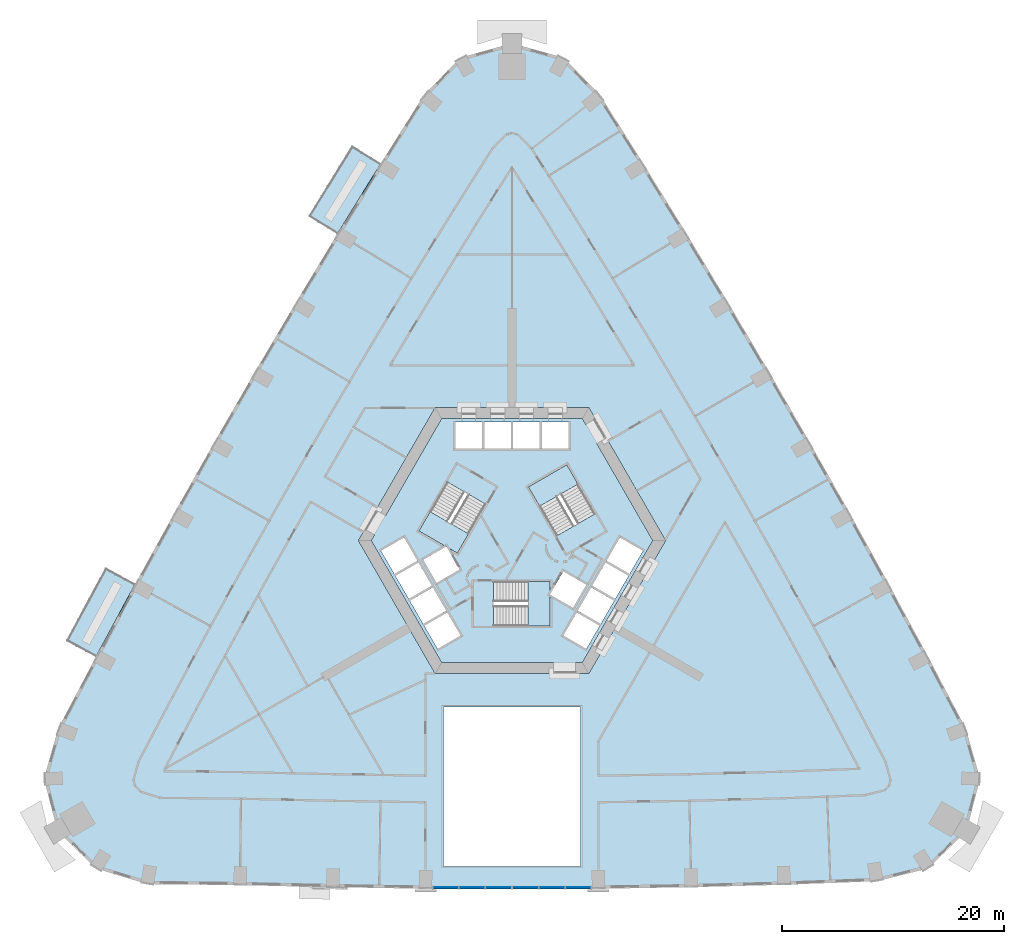
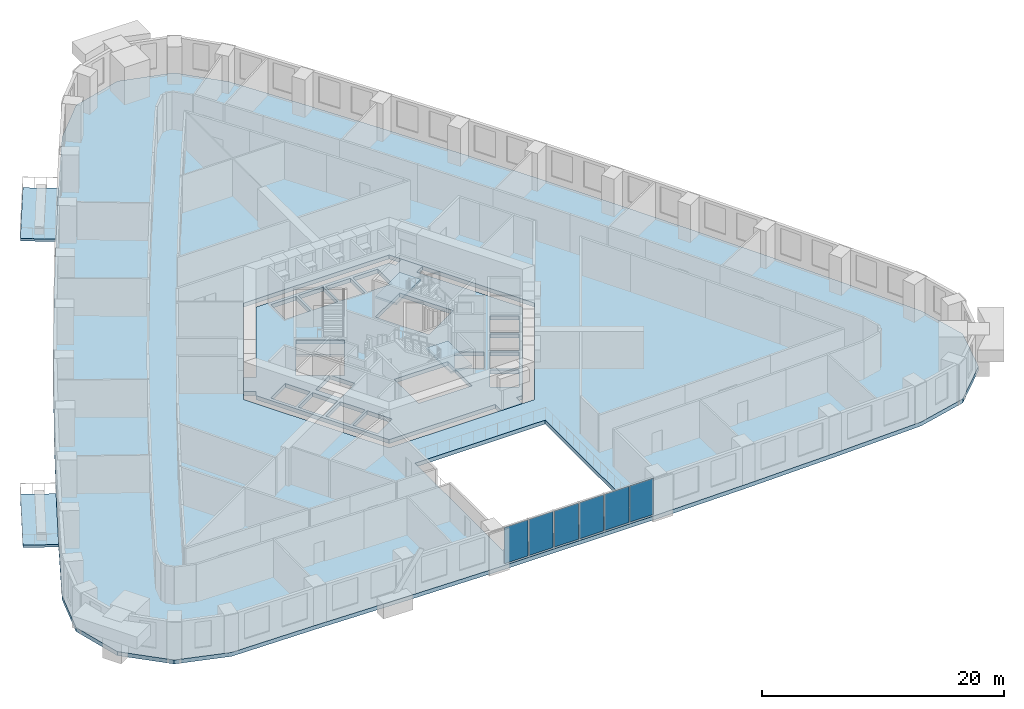
# One storey, part 3 of 15: 7 slabs, 6 plates, 4 elements without a shape of their own.
"""IFC4 building model written with IfcOpenShell, lengths in metres."""

from ifc_helpers import new_model, si_unit, direction, frame, origin, origin_2d, place, context, subcontext, project, spatial, polyline, rectangle, outline, extrude, material, layer, layer_set, type_object, element, aggregate, save


model = new_model("IFC4")

# Units and contexts
model_context = context("Model", 3, precision=1e-05, world=origin(), true_north=direction((0.0, 1.0)))
body_context = subcontext(model_context, "Body", "Model", "MODEL_VIEW")
ifc_project = project(units=[si_unit("LENGTHUNIT", "METRE"), si_unit("AREAUNIT", "SQUARE_METRE"), si_unit("VOLUMEUNIT", "CUBIC_METRE"), si_unit("PLANEANGLEUNIT", "RADIAN"), si_unit("MASSUNIT", "GRAM", prefix="KILO")], contexts=[model_context])

# Site, building, storey
site_placement = place(None, origin())
site = spatial("IfcSite", under=ifc_project, at=site_placement, CompositionType="ELEMENT")
building_placement = place(site_placement, origin())
building = spatial("IfcBuilding", under=site, at=building_placement, Name="Entoto Arch Interchange Tower", CompositionType="ELEMENT")
storey_placement = place(building_placement, frame((0.0, 0.0, 56.0)))
storey = spatial("IfcBuildingStorey", under=building, at=storey_placement, Name="L11", CompositionType="ELEMENT", Elevation=56.0)

# Slabs
ifc_material_1 = material(Name="Board-marked precast concrete C50/60", Category="concrete")
ifc_layer_1 = layer(ifc_material_1, 0.25)
ifc_layer_set_1 = layer_set([ifc_layer_1], Name="Board-marked precast concrete C50/60")
slab_type_1 = type_object("IfcSlabType", Name="BALCONY DECK PRECAST 250", PredefinedType="FLOOR", material=ifc_layer_set_1)
slab_1_placement = place(storey_placement, frame((0.0, 0.0, -0.25)))
element("IfcSlab", 1, at=slab_1_placement, inside=storey, type_object=slab_type_1, Name="Planted balcony NW-02 L11", PredefinedType="FLOOR", context=body_context, shape_type="SweptSolid", body=[
    extrude(outline(polyline([(-11.885986328125, 36.44189453125), (-15.72900390625, 30.2119140625), (-18.239990234375, 31.760986328125), (-14.39697265625, 37.990966796875), (-11.885986328125, 36.44189453125)])), origin(), (0.0, 0.0, 1.0), 0.25),
])
slab_2_placement = place(storey_placement, frame((0.0, 0.0, -0.25)))
element("IfcSlab", 2, at=slab_2_placement, inside=storey, type_object=slab_type_1, Name="Planted balcony NW-08 L11", PredefinedType="FLOOR", context=body_context, shape_type="SweptSolid", body=[
    extrude(outline(polyline([(-34.028076171875, -1.48291015625), (-37.5029296875, -7.927001953125), (-40.10009765625, -6.527099609375), (-36.625, -0.0830078125), (-34.028076171875, -1.48291015625)])), origin(), (0.0, 0.0, 1.0), 0.25),
])
ifc_material_2 = material(Name="Concrete C40/50", Category="concrete")
ifc_layer_2 = layer(ifc_material_2, 0.39990234375)
ifc_layer_set_2 = layer_set([ifc_layer_2], Name="Concrete C40/50")
slab_type_2 = type_object("IfcSlabType", Name="Core floor slab 400 C40/50", PredefinedType="FLOOR", material=ifc_layer_set_2)
slab_3_placement = place(storey_placement, frame((0.0, 0.0, -0.39990234375)))
element("IfcSlab", 3, at=slab_3_placement, inside=storey, type_object=slab_type_2, Name="Core floor slab L11", PredefinedType="FLOOR", context=body_context, shape_type="SweptSolid", body=[
    extrude(outline(polyline([(5.75, -9.5), (3.75, -9.5), (3.75, -8.5), (-6.35107421875, -8.5), (-12.701904296875, 2.5), (-12.402099609375, 3.02001953125), (-13.26708984375, 3.52001953125), (-12.26708984375, 5.251953125), (-11.402099609375, 4.751953125), (-6.35107421875, 13.5), (6.35107421875, 13.5), (6.65087890625, 12.97998046875), (7.51708984375, 13.47998046875), (8.51708984375, 11.748046875), (7.65087890625, 11.248046875), (12.701904296875, 2.5), (6.35107421875, -8.5), (5.75, -8.5), (5.75, -9.5)]), holes=[polyline([(-4.637939453125, -6.06689453125), (-5.837890625, -3.988037109375), (-7.916015625, -5.18798828125), (-6.716064453125, -7.26708984375), (-4.637939453125, -6.06689453125)]), polyline([(-5.93798828125, -3.81494140625), (-7.137939453125, -1.737060546875), (-9.216064453125, -2.93701171875), (-8.01611328125, -5.014892578125), (-5.93798828125, -3.81494140625)]), polyline([(5.5048828125, -3.56494140625), (6.705078125, -1.487060546875), (4.626953125, -0.287109375), (3.449951171875, -2.324951171875), (3.449951171875, -1.199951171875), (-1.64990234375, -1.199951171875), (-1.64990234375, -5.199951171875), (3.449951171875, -5.199951171875), (3.449951171875, -2.3779296875), (5.5048828125, -3.56494140625)]), polyline([(-7.238037109375, -1.56298828125), (-8.43798828125, 0.514892578125), (-10.51611328125, -0.68505859375), (-9.31591796875, -2.762939453125), (-7.238037109375, -1.56298828125)]), polyline([(-4.72705078125, -0.113037109375), (-5.904052734375, 1.925048828125), (-4.928955078125, 1.362060546875), (-2.37890625, 5.779052734375), (-5.843017578125, 7.779052734375), (-8.39306640625, 3.362060546875), (-5.949951171875, 1.951904296875), (-8.0048828125, 0.764892578125), (-6.804931640625, -1.31298828125), (-4.72705078125, -0.113037109375)]), polyline([(-8.5380859375, 0.68798828125), (-9.738037109375, 2.76708984375), (-11.81591796875, 1.56689453125), (-10.615966796875, -0.511962890625), (-8.5380859375, 0.68798828125)]), polyline([(-5.10009765625, 10.800048828125), (-2.699951171875, 10.800048828125), (-2.699951171875, 13.199951171875), (-5.10009765625, 13.199951171875), (-5.10009765625, 10.800048828125)]), polyline([(-2.5, 10.800048828125), (-0.10009765625, 10.800048828125), (-0.10009765625, 13.199951171875), (-2.5, 13.199951171875), (-2.5, 10.800048828125)]), polyline([(5.837890625, -3.988037109375), (4.637939453125, -6.06689453125), (6.716064453125, -7.26708984375), (7.916015625, -5.18798828125), (5.837890625, -3.988037109375)]), polyline([(7.137939453125, -1.737060546875), (5.93798828125, -3.81494140625), (8.01611328125, -5.014892578125), (9.216064453125, -2.93701171875), (7.137939453125, -1.737060546875)]), polyline([(8.43798828125, 0.514892578125), (7.238037109375, -1.56298828125), (9.31591796875, -2.762939453125), (10.51611328125, -0.68505859375), (8.43798828125, 0.514892578125)]), polyline([(9.738037109375, 2.76708984375), (8.5380859375, 0.68798828125), (10.615966796875, -0.511962890625), (11.81591796875, 1.56689453125), (9.738037109375, 2.76708984375)]), polyline([(4.029052734375, 2.9208984375), (7.492919921875, 4.9208984375), (4.943115234375, 9.337890625), (1.47900390625, 7.337890625), (4.029052734375, 2.9208984375)]), polyline([(0.10009765625, 13.199951171875), (0.10009765625, 10.800048828125), (2.5, 10.800048828125), (2.5, 13.199951171875), (0.10009765625, 13.199951171875)]), polyline([(2.699951171875, 13.199951171875), (2.699951171875, 10.800048828125), (5.10009765625, 10.800048828125), (5.10009765625, 13.199951171875), (2.699951171875, 13.199951171875)])]), origin(), (0.0, 0.0, 1.0), 0.39990234375),
])

# Stair, slab
stair_type = type_object("IfcStairType", Name="EXIT STAIR RC 1800", PredefinedType="HALF_TURN_STAIR", material=ifc_material_2)
stair_1_placement = place(storey_placement, origin())
stair_1 = element("IfcStair", 4, at=stair_1_placement, inside=storey, type_object=stair_type, Name="L11 Exit stair S", PredefinedType="HALF_TURN_STAIR")
ifc_layer_3 = layer(ifc_material_2, 0.199951171875)
ifc_layer_set_3 = layer_set([ifc_layer_3], Name="Concrete C40/50")
slab_type_3 = type_object("IfcSlabType", Name="EXIT STAIR LANDING RC 200", PredefinedType="LANDING", material=ifc_layer_set_3)
slab_4_placement = place(storey_placement, frame((0.0, 0.0, 1.89990234375)))
slab_4 = element("IfcSlab", 5, at=slab_4_placement, type_object=slab_type_3, Name="ST-S landing 1", PredefinedType="LANDING", context=body_context, shape_type="SweptSolid", body=[
    extrude(outline(polyline([(1.429931640625, -5.199951171875), (3.449951171875, -5.199951171875), (3.449951171875, -1.199951171875), (1.429931640625, -1.199951171875), (1.429931640625, -5.199951171875)])), origin(), (0.0, 0.0, 1.0), 0.2001953125),
])
aggregate(stair_1, [slab_4])

stair_2_placement = place(storey_placement, origin())
stair_2 = element("IfcStair", 6, at=stair_2_placement, inside=storey, type_object=stair_type, Name="L11 Exit stair NE", PredefinedType="HALF_TURN_STAIR")
slab_5_placement = place(storey_placement, frame((0.0, 0.0, 1.89990234375)))
slab_5 = element("IfcSlab", 7, at=slab_5_placement, type_object=slab_type_3, Name="ST-NE landing 1", PredefinedType="LANDING", context=body_context, shape_type="SweptSolid", body=[
    extrude(outline(polyline([(5.953369140625, 7.58837890625), (4.943359375, 9.337890625), (1.479248046875, 7.337890625), (2.4892578125, 5.58837890625), (5.953369140625, 7.58837890625)])), origin(), (0.0, 0.0, 1.0), 0.2001953125),
])
aggregate(stair_2, [slab_5])

stair_3_placement = place(storey_placement, origin())
stair_3 = element("IfcStair", 8, at=stair_3_placement, inside=storey, type_object=stair_type, Name="L11 Exit stair NW", PredefinedType="HALF_TURN_STAIR")
slab_6_placement = place(storey_placement, frame((0.0, 0.0, 1.89990234375)))
slab_6 = element("IfcSlab", 9, at=slab_6_placement, type_object=slab_type_3, Name="ST-NW landing 1", PredefinedType="LANDING", context=body_context, shape_type="SweptSolid", body=[
    extrude(outline(polyline([(-7.38330078125, 5.111572265625), (-8.393310546875, 3.3623046875), (-4.92919921875, 1.3623046875), (-3.919189453125, 3.111572265625), (-7.38330078125, 5.111572265625)])), origin(), (0.0, 0.0, 1.0), 0.2001953125),
])
aggregate(stair_3, [slab_6])

# Curtain wall, plates
ifc_material_3 = material(Name="Aluminium, anodised", Category="aluminium")
curtain_wall_type = type_object("IfcCurtainWallType", Name="CURTAIN WALL ATRIUM", PredefinedType="NOTDEFINED", material=ifc_material_3)
curtain_wall_placement = place(storey_placement, origin())
curtain_wall = element("IfcCurtainWall", 10, at=curtain_wall_placement, inside=storey, type_object=curtain_wall_type, Name="Atrium glazing S-04 L11", PredefinedType="NOTDEFINED")
ifc_material_4 = material(Name="Clear glass, low-e double glazed", Category="glass")
ifc_layer_4 = layer(ifc_material_4, 0.031982421875)
ifc_layer_set_4 = layer_set([ifc_layer_4], Name="Clear glass, low-e double glazed")
plate_type = type_object("IfcPlateType", Name="GLAZING PANEL ATRIUM 32", PredefinedType="CURTAIN_PANEL", material=ifc_layer_set_4)
plate_1_placement = place(storey_placement, frame((-5.973388671875, -28.784912109375, 0.080078125), z_axis=(0.0, 0.0, 1.0), x_axis=(1.0, 0.0, 0.0)))
plate_1 = element("IfcPlate", 11, at=plate_1_placement, type_object=plate_type, Name="CWA panel 1.1", PredefinedType="CURTAIN_PANEL", context=body_context, shape_type="SweptSolid", body=[
    extrude(rectangle(XDim=2.249267578125, YDim=0.031982421875, at=origin_2d()), origin(), (0.0, 0.0, 1.0), 3.639892578125),
])
plate_2_placement = place(storey_placement, frame((-3.59912109375, -28.784912109375, 0.080078125), z_axis=(0.0, 0.0, 1.0), x_axis=(1.0, 0.0, 0.0)))
plate_2 = element("IfcPlate", 12, at=plate_2_placement, type_object=plate_type, Name="CWA panel 2.1", PredefinedType="CURTAIN_PANEL", context=body_context, shape_type="SweptSolid", body=[
    extrude(rectangle(XDim=2.29931640625, YDim=0.031982421875, at=origin_2d()), origin(), (0.0, 0.0, 1.0), 3.639892578125),
])
plate_3_placement = place(storey_placement, frame((-1.19970703125, -28.784912109375, 0.080078125), z_axis=(0.0, 0.0, 1.0), x_axis=(1.0, 0.0, 0.0)))
plate_3 = element("IfcPlate", 13, at=plate_3_placement, type_object=plate_type, Name="CWA panel 3.1", PredefinedType="CURTAIN_PANEL", context=body_context, shape_type="SweptSolid", body=[
    extrude(rectangle(XDim=2.29931640625, YDim=0.031982421875, at=origin_2d()), origin(), (0.0, 0.0, 1.0), 3.639892578125),
])
plate_4_placement = place(storey_placement, frame((1.19970703125, -28.784912109375, 0.080078125), z_axis=(0.0, 0.0, 1.0), x_axis=(1.0, 0.0, 0.0)))
plate_4 = element("IfcPlate", 14, at=plate_4_placement, type_object=plate_type, Name="CWA panel 4.1", PredefinedType="CURTAIN_PANEL", context=body_context, shape_type="SweptSolid", body=[
    extrude(rectangle(XDim=2.29931640625, YDim=0.031982421875, at=origin_2d()), origin(), (0.0, 0.0, 1.0), 3.639892578125),
])
plate_5_placement = place(storey_placement, frame((3.59912109375, -28.784912109375, 0.080078125), z_axis=(0.0, 0.0, 1.0), x_axis=(1.0, 0.0, 0.0)))
plate_5 = element("IfcPlate", 15, at=plate_5_placement, type_object=plate_type, Name="CWA panel 5.1", PredefinedType="CURTAIN_PANEL", context=body_context, shape_type="SweptSolid", body=[
    extrude(rectangle(XDim=2.29931640625, YDim=0.031982421875, at=origin_2d()), origin(), (0.0, 0.0, 1.0), 3.639892578125),
])
plate_6_placement = place(storey_placement, frame((5.973388671875, -28.784912109375, 0.080078125), z_axis=(0.0, 0.0, 1.0), x_axis=(1.0, 0.0, 0.0)))
plate_6 = element("IfcPlate", 16, at=plate_6_placement, type_object=plate_type, Name="CWA panel 6.1", PredefinedType="CURTAIN_PANEL", context=body_context, shape_type="SweptSolid", body=[
    extrude(rectangle(XDim=2.249267578125, YDim=0.031982421875, at=origin_2d()), origin(), (0.0, 0.0, 1.0), 3.639892578125),
])
aggregate(curtain_wall, [plate_1, plate_2, plate_3, plate_4, plate_5, plate_6])

# Slab
ifc_layer_5 = layer(ifc_material_2, 0.39990234375)
ifc_layer_set_5 = layer_set([ifc_layer_5], Name="Concrete C40/50")
slab_type_4 = type_object("IfcSlabType", Name="Post-tensioned flat plate 400 C40/50", PredefinedType="FLOOR", material=ifc_layer_set_5)
slab_7_placement = place(storey_placement, frame((0.0, 0.0, -0.39990234375)))
element("IfcSlab", 17, at=slab_7_placement, inside=storey, type_object=slab_type_4, Name="Floor slab L11", PredefinedType="FLOOR", context=body_context, shape_type="SweptSolid", body=[
    extrude(outline(polyline([(-32.910888671875, -28.49609375), (-24.5400390625, -28.589111328125), (-16.169921875, -28.777099609375), (-7.800048828125, -28.909912109375), (7.800048828125, -28.909912109375), (16.169921875, -28.777099609375), (24.5400390625, -28.551025390625), (32.910888671875, -28.23193359375), (37.554931640625, -27.075927734375), (41.012939453125, -23.678955078125), (42.22607421875, -18.986083984375), (40.94091796875, -14.45703125), (37.5029296875, -7.927001953125), (34.028076171875, -1.48291015625), (30.491943359375, 4.925048828125), (26.89404296875, 11.301025390625), (23.23388671875, 17.639892578125), (19.511962890625, 23.944091796875), (15.72900390625, 30.2119140625), (11.885986328125, 36.44189453125), (7.950927734375, 42.68505859375), (4.669921875, 46.06103515625), (0.0, 47.35791015625), (-4.669921875, 46.06103515625), (-7.950927734375, 42.68505859375), (-11.885986328125, 36.44189453125), (-15.72900390625, 30.2119140625), (-19.511962890625, 23.944091796875), (-23.23388671875, 17.639892578125), (-26.89404296875, 11.301025390625), (-30.491943359375, 4.925048828125), (-34.028076171875, -1.48291015625), (-37.5029296875, -7.927001953125), (-40.94091796875, -14.45703125), (-42.22607421875, -18.986083984375), (-41.012939453125, -23.678955078125), (-37.554931640625, -27.075927734375), (-32.910888671875, -28.49609375)]), holes=[polyline([(6.199951171875, -26.909912109375), (6.199951171875, -12.5), (-6.199951171875, -12.5), (-6.199951171875, -26.909912109375), (6.199951171875, -26.909912109375)]), polyline([(13.85595703125, 2.5), (6.927978515625, 14.5), (-6.927978515625, 14.5), (-13.85595703125, 2.5), (-6.927978515625, -9.5), (6.927978515625, -9.5), (13.85595703125, 2.5)])]), origin(), (0.0, 0.0, 1.0), 0.39990234375),
])

save(model, "model.ifc")
